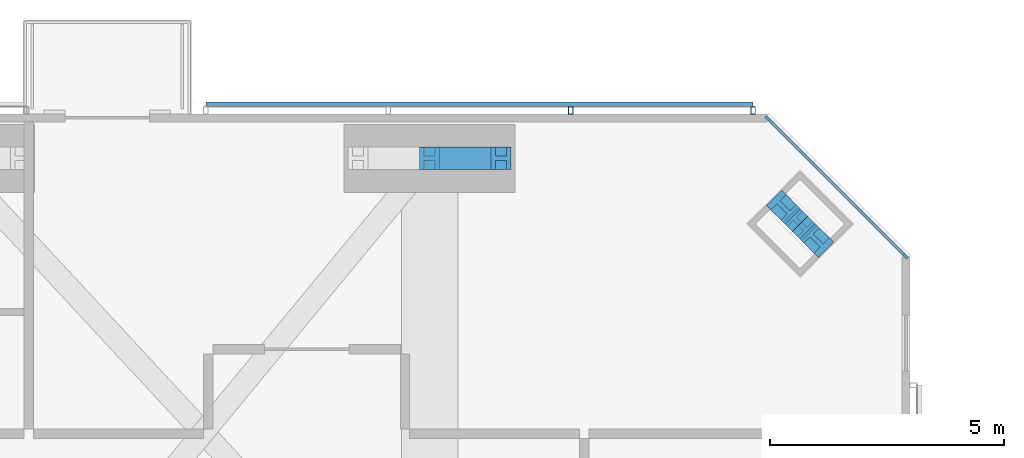
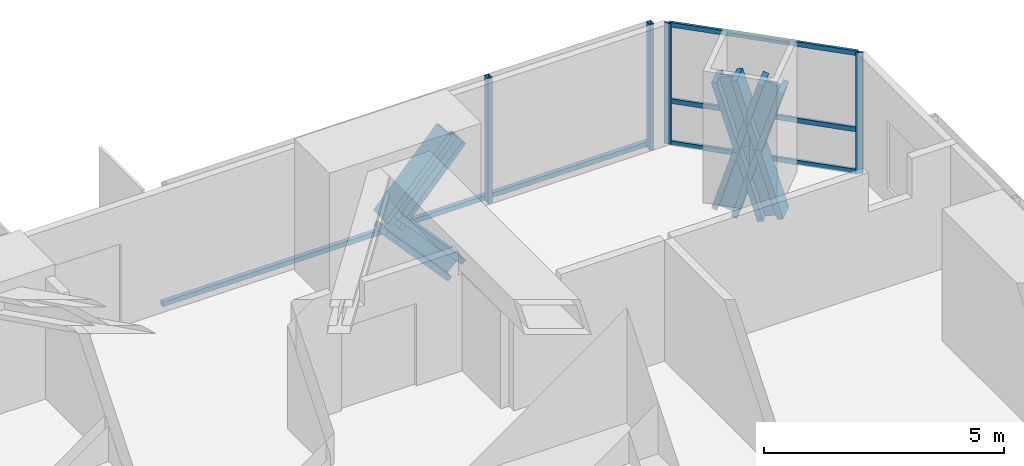
# One storey, part 13 of 22: 14 members, 2 elements without a shape of their own.
"""IFC4 building model written with IfcOpenShell, lengths in metres."""

import ifcopenshell
import ifcopenshell.guid

model = None  # the IFC model being written
_history = None  # IfcOwnerHistory: only IFC2X3 demands one
_inside = {}  # id of a spatial element -> (the spatial element, [elements in it])
_under = {}  # id of a project, library or spatial element -> (it, [spatial elements below it])
_declared = {}  # id of a project -> (the project, [libraries it declares])
_typed = {}  # id of a type object -> (the type object, [elements of that type])
_made_of = {}  # id of a material, layer set ... -> (it, [elements and type objects made of it])


def new_model(schema):
    """Start an empty IFC model of exactly this schema.

    Asked for "IFC4X3", IfcOpenShell would pick the latest addendum, in which some entities
    have other attributes; the version numbers below select the first issue.
    IFC2X3 requires an IfcOwnerHistory on every rooted entity: one is made here for all.
    """
    global model, _history
    if schema == "IFC4X3":
        model = ifcopenshell.file(schema_version=(4, 3, 0, 0))
    else:
        model = ifcopenshell.file(schema=schema)
    _inside.clear()
    _under.clear()
    _declared.clear()
    _typed.clear()
    _made_of.clear()
    _history = None
    if model.schema == "IFC2X3":
        org = make("IfcOrganization", Name="unknown")
        user = make(
            "IfcPersonAndOrganization",
            ThePerson=make("IfcPerson", FamilyName="unknown"),
            TheOrganization=org,
        )
        app = make(
            "IfcApplication",
            ApplicationDeveloper=org,
            Version="unknown",
            ApplicationFullName="unknown",
            ApplicationIdentifier="unknown",
        )
        _history = make(
            "IfcOwnerHistory",
            OwningUser=user,
            OwningApplication=app,
            ChangeAction="ADDED",
            CreationDate=0,
        )
    return model


def make(cls, **values):
    """One entity of the class cls with the attributes given. An attribute that is None is left unset."""
    return model.create_entity(
        cls, **{name: value for name, value in values.items() if value is not None}
    )


def rooted(cls, **values):
    """An entity with a GlobalId (a new one), such as an element, a storey or a relation."""
    return make(cls, GlobalId=ifcopenshell.guid.new(), OwnerHistory=_history, **values)


def si_unit(unit_type, name, prefix=None):
    """IfcSIUnit, for example si_unit("LENGTHUNIT", "METRE", prefix="MILLI")."""
    return make("IfcSIUnit", UnitType=unit_type, Prefix=prefix, Name=name)


def assignment(units):
    """IfcUnitAssignment: the units of a project."""
    return None if units is None else make("IfcUnitAssignment", Units=units)


def point(xyz):
    """IfcCartesianPoint."""
    return None if xyz is None else make("IfcCartesianPoint", Coordinates=xyz)


def direction(xyz):
    """IfcDirection."""
    return None if xyz is None else make("IfcDirection", DirectionRatios=xyz)


def frame(location, z_axis=None, x_axis=None):
    """IfcAxis2Placement3D, a coordinate frame: its origin and axes. An axis left out is left unset."""
    return make(
        "IfcAxis2Placement3D",
        Location=point(location),
        Axis=direction(z_axis),
        RefDirection=direction(x_axis),
    )


def frame_2d(location, x_axis=None):
    """IfcAxis2Placement2D, a coordinate frame in the plane: its origin and x axis."""
    return make(
        "IfcAxis2Placement2D", Location=point(location), RefDirection=direction(x_axis)
    )


def origin():
    """The frame at (0, 0, 0) with its axes left unset."""
    return frame((0.0, 0.0, 0.0))


def origin_2d():
    """The frame at (0, 0) in the plane with its x axis left unset."""
    return frame_2d((0.0, 0.0))


def place(relative_to, where):
    """IfcLocalPlacement: puts the frame where relative to a parent placement (None: the world)."""
    return make(
        "IfcLocalPlacement", PlacementRelTo=relative_to, RelativePlacement=where
    )


def context(
    kind, dimensions, precision=None, world=None, true_north=None, identifier=None
):
    """IfcGeometricRepresentationContext, for example the 3D "Model" context."""
    return make(
        "IfcGeometricRepresentationContext",
        ContextIdentifier=identifier,
        ContextType=kind,
        CoordinateSpaceDimension=dimensions,
        Precision=precision,
        WorldCoordinateSystem=world,
        TrueNorth=true_north,
    )


def subcontext(parent, identifier, kind, view, scale=None):
    """IfcGeometricRepresentationSubContext, for example "Body" below "Model"."""
    return make(
        "IfcGeometricRepresentationSubContext",
        ContextIdentifier=identifier,
        ContextType=kind,
        ParentContext=parent,
        TargetScale=scale,
        TargetView=view,
    )


def project(units=None, contexts=None):
    """IfcProject with its units and contexts."""
    return rooted(
        "IfcProject",
        Name="project",
        RepresentationContexts=contexts,
        UnitsInContext=assignment(units),
    )


def spatial(cls, under=None, at=None, **own):
    """A site, building, storey or space (cls), placed at a placement, below another one or the project."""
    s = rooted(cls, ObjectPlacement=at, **own)
    if under is not None:
        _under.setdefault(under.id(), (under, []))[1].append(s)
    return s


def profile(cls, at=None, kind="AREA", **sizes):
    """A parametric profile (cls). Its sizes go by their IFC names, for example OverallWidth=200.0."""
    return make(cls, ProfileType=kind, Position=at, **sizes)


def rectangle(**sizes):
    """IfcRectangleProfileDef."""
    return profile("IfcRectangleProfileDef", **sizes)


def hollow_rectangle(**sizes):
    """IfcRectangleHollowProfileDef."""
    return profile("IfcRectangleHollowProfileDef", **sizes)


def i_section(**sizes):
    """IfcIShapeProfileDef."""
    return profile("IfcIShapeProfileDef", **sizes)


def extrude(swept, where, along, depth):
    """IfcExtrudedAreaSolid: the profile swept, set in the frame where, extruded along a direction by depth."""
    return make(
        "IfcExtrudedAreaSolid",
        SweptArea=swept,
        Position=where,
        ExtrudedDirection=direction(along),
        Depth=depth,
    )


def shape(context_of_items, identifier, shape_type, items):
    """IfcShapeRepresentation: the items that make up one representation, for example the "Body"."""
    return make(
        "IfcShapeRepresentation",
        ContextOfItems=context_of_items,
        RepresentationIdentifier=identifier,
        RepresentationType=shape_type,
        Items=items,
    )


def material(Name=None, Category=None):
    """IfcMaterial."""
    return make("IfcMaterial", Name=Name, Category=Category)


def material_profile(
    of_material, cross_section, Name=None, Category=None, Priority=None
):
    """IfcMaterialProfile: a cross section and its material."""
    return make(
        "IfcMaterialProfile",
        Name=Name,
        Material=of_material,
        Profile=cross_section,
        Priority=Priority,
        Category=Category,
    )


def profile_set(profiles, Name=None, composite=None):
    """IfcMaterialProfileSet."""
    return make(
        "IfcMaterialProfileSet",
        Name=Name,
        MaterialProfiles=profiles,
        CompositeProfile=composite,
    )


def made_of(thing, what):
    """Note that an element or type object is made of a material, layer set ...; save() writes the relation."""
    if what is not None:
        _made_of.setdefault(what.id(), (what, []))[1].append(thing)
    return thing


def type_object(cls, material=None, **own):
    """A type object (cls), such as IfcWallType, which elements share."""
    return made_of(rooted(cls, **own), material)


def element(
    cls,
    number,
    at=None,
    inside=None,
    cuts=None,
    type_object=None,
    material=None,
    context=None,
    identifier="Body",
    shape_type=None,
    held_by="IfcProductDefinitionShape",
    body=None,
    shapes=None,
    **own,
):
    """One element of the class cls, such as IfcWall. Its Tag is "e" and its number.

    at: its placement. inside: the storey or other place that contains it. cuts: it is an
    opening in that element (IfcRelVoidsElement). A single representation is given by context,
    identifier, shape_type and body (its items); several are given by shapes. held_by: the class
    of the entity that holds the representations. save() writes the other relations.
    """
    e = rooted(cls, Tag="e%d" % number, ObjectPlacement=at, **own)
    if body is not None:
        shapes = [shape(context, identifier, shape_type, body)]
    if shapes is not None:
        e.Representation = make(held_by, Representations=shapes)
    if inside is not None:
        _inside.setdefault(inside.id(), (inside, []))[1].append(e)
    if cuts is not None:
        rooted(
            "IfcRelVoidsElement", RelatingBuildingElement=cuts, RelatedOpeningElement=e
        )
    if type_object is not None:
        _typed.setdefault(type_object.id(), (type_object, []))[1].append(e)
    return made_of(e, material)


def aggregate(whole, parts):
    """IfcRelAggregates: a whole, such as a stair, and the parts it consists of."""
    return rooted("IfcRelAggregates", RelatingObject=whole, RelatedObjects=parts)


def save(model, path):
    """Write the relations noted so far, then the file.

    IfcRelAggregates (storeys below a building ...), IfcRelContainedInSpatialStructure (elements
    in a storey), IfcRelDefinesByType, IfcRelAssociatesMaterial and IfcRelDeclares: one each for
    every whole, place, type object, material and project.
    """
    for whole, parts in _under.values():
        aggregate(whole, parts)
    for where, things in _inside.values():
        rooted(
            "IfcRelContainedInSpatialStructure",
            RelatedElements=things,
            RelatingStructure=where,
        )
    for kind, things in _typed.values():
        rooted("IfcRelDefinesByType", RelatedObjects=things, RelatingType=kind)
    for what, things in _made_of.values():
        rooted("IfcRelAssociatesMaterial", RelatedObjects=things, RelatingMaterial=what)
    for by, libraries in _declared.values():
        rooted("IfcRelDeclares", RelatingContext=by, RelatedDefinitions=libraries)
    model.write(path)


model = new_model("IFC4")

# Units and contexts
model_context = context("Model", 3, precision=1e-05, world=origin(), true_north=direction((0.0, 1.0)))
body_context = subcontext(model_context, "Body", "Model", "MODEL_VIEW")
ifc_project = project(units=[si_unit("LENGTHUNIT", "METRE"), si_unit("AREAUNIT", "SQUARE_METRE"), si_unit("VOLUMEUNIT", "CUBIC_METRE"), si_unit("PLANEANGLEUNIT", "RADIAN"), si_unit("MASSUNIT", "GRAM", prefix="KILO")], contexts=[model_context])

# Site, building, storey
site_placement = place(None, origin())
site = spatial("IfcSite", under=ifc_project, at=site_placement, CompositionType="ELEMENT")
building_placement = place(site_placement, origin())
building = spatial("IfcBuilding", under=site, at=building_placement, Name="Jalousie Tower", CompositionType="ELEMENT")
storey_placement = place(building_placement, frame((0.0, 0.0, 204.60009765625)))
storey = spatial("IfcBuildingStorey", under=building, at=storey_placement, Name="L56", CompositionType="ELEMENT", Elevation=204.60009765625)

# Curtain wall, members
ifc_material_1 = material(Name="Aluminium curtain wall", Category="aluminium")
curtain_wall_type_1 = type_object("IfcCurtainWallType", Name="CORNER WINDOW WALL", PredefinedType="USERDEFINED", material=ifc_material_1)
curtain_wall_1_placement = place(storey_placement, origin())
curtain_wall_1 = element("IfcCurtainWall", 1, at=curtain_wall_1_placement, inside=storey, type_object=curtain_wall_type_1, Name="Corner Window Wall L56 4", ObjectType="CORNER WINDOW WALL", PredefinedType="USERDEFINED")
ifc_material_2 = material(Name="Aluminium mullion", Category="aluminium")
ifc_material_profile_1 = material_profile(ifc_material_2, rectangle(XDim=0.06005859375, YDim=0.14990234375, at=origin_2d()), Name="MULLION 60x150")
ifc_profile_set_1 = profile_set([ifc_material_profile_1], Name="Aluminium mullion")
member_type_1 = type_object("IfcMemberType", Name="CORNER WINDOW WALL MULLION", PredefinedType="MULLION", material=ifc_profile_set_1)
member_1_placement = place(storey_placement, frame((52.891357421875, 32.969970703125, 0.0), z_axis=(0.0, 0.0, 1.0), x_axis=(-0.707106781187, -0.707106781187, 0.0)))
member_1 = element("IfcMember", 2, at=member_1_placement, type_object=member_type_1, Name="CW-C mullion 1", PredefinedType="MULLION", context=body_context, shape_type="SweptSolid", body=[
    extrude(rectangle(XDim=0.06005859375, YDim=0.14990234375, at=origin_2d()), origin(), (0.0, 0.0, 1.0), 3.06982421875),
])
member_2_placement = place(storey_placement, frame((49.969970703125, 35.891357421875, 0.0), z_axis=(0.0, 0.0, 1.0), x_axis=(-0.707106781187, -0.707106781187, 0.0)))
member_2 = element("IfcMember", 3, at=member_2_placement, type_object=member_type_1, Name="CW-C mullion 2", PredefinedType="MULLION", context=body_context, shape_type="SweptSolid", body=[
    extrude(rectangle(XDim=0.06005859375, YDim=0.14990234375, at=origin_2d()), origin(), (0.0, 0.0, 1.0), 3.06982421875),
])
ifc_material_3 = material(Name="Aluminium transom", Category="aluminium")
ifc_material_profile_2 = material_profile(ifc_material_3, rectangle(XDim=0.06005859375, YDim=0.1201171875, at=origin_2d()), Name="TRANSOM 60x120")
ifc_profile_set_2 = profile_set([ifc_material_profile_2], Name="Aluminium transom")
member_type_2 = type_object("IfcMemberType", Name="CORNER WINDOW WALL TRANSOM", PredefinedType="USERDEFINED", material=ifc_profile_set_2)
member_3_placement = place(storey_placement, frame((52.8701171875, 32.9912109375, 0.02978515625), z_axis=(-0.707106781187, 0.707106781187, 0.0), x_axis=(-0.707106781187, -0.707106781187, 0.0)))
member_3 = element("IfcMember", 4, at=member_3_placement, type_object=member_type_2, Name="CW-C transom 1.1", ObjectType="TRANSOM", PredefinedType="USERDEFINED", context=body_context, shape_type="SweptSolid", body=[
    extrude(rectangle(XDim=0.06005859375, YDim=0.1201171875, at=origin_2d()), origin(), (0.0, 0.0, 1.0), 4.0712890625),
])
member_4_placement = place(storey_placement, frame((52.8701171875, 32.9912109375, 1.099853515625), z_axis=(-0.707106781187, 0.707106781187, 0.0), x_axis=(-0.707106781187, -0.707106781187, 0.0)))
member_4 = element("IfcMember", 5, at=member_4_placement, type_object=member_type_2, Name="CW-C transom 1.2", ObjectType="TRANSOM", PredefinedType="USERDEFINED", context=body_context, shape_type="SweptSolid", body=[
    extrude(rectangle(XDim=0.06005859375, YDim=0.1201171875, at=origin_2d()), origin(), (0.0, 0.0, 1.0), 4.0712890625),
])
member_5_placement = place(storey_placement, frame((52.8701171875, 32.9912109375, 3.039794921875), z_axis=(-0.707106781187, 0.707106781187, 0.0), x_axis=(-0.707106781187, -0.707106781187, 0.0)))
member_5 = element("IfcMember", 6, at=member_5_placement, type_object=member_type_2, Name="CW-C transom 1.3", ObjectType="TRANSOM", PredefinedType="USERDEFINED", context=body_context, shape_type="SweptSolid", body=[
    extrude(rectangle(XDim=0.06005859375, YDim=0.1201171875, at=origin_2d()), origin(), (0.0, 0.0, 1.0), 4.0712890625),
])
aggregate(curtain_wall_1, [member_1, member_2, member_3, member_4, member_5])

# Members
ifc_material_4 = material(Name="Steel ASTM A992 Grade 50", Category="steel")
ifc_material_profile_3 = material_profile(ifc_material_4, i_section(OverallWidth=0.472412109375, OverallDepth=0.5791015625, WebThickness=0.094970703125, FlangeThickness=0.1298828125, at=origin_2d()), Name="W14X808")
ifc_profile_set_3 = profile_set([ifc_material_profile_3], Name="Steel ASTM A992 Grade 50")
member_type_3 = type_object("IfcMemberType", Name="PERIMETER BRACE W14X808", PredefinedType="BRACE", material=ifc_profile_set_3)
for number, where, z_axis, x_axis, name in (
    (7, (51.0048828125, 33.2978515625, -0.60009765625), (-0.202092742837, 0.202372069365, 0.958229653493), (-0.707594945859, -0.706618279267, 0.0), "Perimeter brace 08 L56 part 1"),
    (8, (50.651611328125, 33.651611328125, 1.074951171875), (-0.202372069365, 0.202092742837, 0.958229653493), (-0.706618279267, -0.707594945859, 0.0), "Perimeter brace 08 L56 part 2"),
    (9, (50.2978515625, 34.0048828125, -0.60009765625), (0.202372069365, -0.202092742837, 0.958229653493), (0.706618279267, 0.707594945859, 0.0), "Perimeter brace 08 L56 part 3"),
    (10, (50.651611328125, 33.651611328125, 1.074951171875), (0.202092742837, -0.202372069365, 0.958229653493), (0.707594945859, 0.706618279267, 0.0), "Perimeter brace 08 L56 part 4"),
):
    element("IfcMember", number, at=place(storey_placement, frame(where, z_axis=z_axis, x_axis=x_axis)), inside=storey, type_object=member_type_3, Name=name, PredefinedType="BRACE", context=body_context, shape_type="SweptSolid", body=[
        extrude(i_section(OverallWidth=0.472412109375, OverallDepth=0.5791015625, WebThickness=0.094970703125, FlangeThickness=0.1298828125, at=origin_2d()), origin(), (0.0, 0.0, 1.0), 1.748046875),
    ])
for number, where, z_axis, x_axis, name in (
    (11, (42.75, 35.050048828125, 1.074951171875), (0.673187629365, 0.0, 0.739471713908), (0.0, 1.0, 0.0), "Perimeter brace 09 L56 part 2"),
    (12, (44.27490234375, 35.050048828125, -0.60009765625), (-0.673187629365, 0.0, 0.739471713908), (0.0, -1.0, 0.0), "Perimeter brace 09 L56 part 3"),
):
    element("IfcMember", number, at=place(storey_placement, frame(where, z_axis=z_axis, x_axis=x_axis)), inside=storey, type_object=member_type_3, Name=name, PredefinedType="BRACE", context=body_context, shape_type="SweptSolid", body=[
        extrude(i_section(OverallWidth=0.472412109375, OverallDepth=0.5791015625, WebThickness=0.094970703125, FlangeThickness=0.1298828125, at=origin_2d()), origin(), (0.0, 0.0, 1.0), 2.26513671875),
    ])

# Curtain wall, members
ifc_material_5 = material(Name="Perforated aluminium sheet", Category="aluminium")
curtain_wall_type_2 = type_object("IfcCurtainWallType", Name="SOLAR SCREEN SS-1", PredefinedType="USERDEFINED", material=ifc_material_5)
curtain_wall_2_placement = place(storey_placement, origin())
curtain_wall_2 = element("IfcCurtainWall", 13, at=curtain_wall_2_placement, inside=storey, type_object=curtain_wall_type_2, Name="Solar screen L56", ObjectType="SOLAR SCREEN SS-1", PredefinedType="USERDEFINED")
ifc_material_6 = material(Name="Steel ASTM A500 Grade C", Category="steel")
ifc_material_profile_4 = material_profile(ifc_material_6, hollow_rectangle(XDim=0.1015625, YDim=0.15234375, WallThickness=0.00634765625, at=origin_2d()), Name="HSS6X4X1/4")
ifc_profile_set_4 = profile_set([ifc_material_profile_4], Name="Steel ASTM A500 Grade C")
member_type_4 = type_object("IfcMemberType", Name="SOLAR SCREEN SS-1 MULLION", PredefinedType="MULLION", material=ifc_profile_set_4)
member_6_placement = place(storey_placement, frame((49.648681640625, 36.0712890625, -0.1201171875), z_axis=(0.0, 0.0, 1.0), x_axis=(-1.0, 0.0, 0.0)))
member_6 = element("IfcMember", 14, at=member_6_placement, type_object=member_type_4, Name="SS1 post 1", PredefinedType="MULLION", context=body_context, shape_type="SweptSolid", body=[
    extrude(hollow_rectangle(XDim=0.1015625, YDim=0.15234375, WallThickness=0.00634765625, at=origin_2d()), origin(), (0.0, 0.0, 1.0), 3.18994140625),
])
member_7_placement = place(storey_placement, frame((45.757568359375, 36.0712890625, -0.1201171875), z_axis=(0.0, 0.0, 1.0), x_axis=(-1.0, 0.0, 0.0)))
member_7 = element("IfcMember", 15, at=member_7_placement, type_object=member_type_4, Name="SS1 post 2", PredefinedType="MULLION", context=body_context, shape_type="SweptSolid", body=[
    extrude(hollow_rectangle(XDim=0.1015625, YDim=0.15234375, WallThickness=0.00634765625, at=origin_2d()), origin(), (0.0, 0.0, 1.0), 3.18994140625),
])
ifc_material_7 = material(Name="Extruded aluminium screen rail", Category="aluminium")
ifc_material_profile_5 = material_profile(ifc_material_7, rectangle(XDim=0.1015625, YDim=0.1201171875, at=origin_2d()), Name="RAIL 102x120")
ifc_profile_set_5 = profile_set([ifc_material_profile_5], Name="Extruded aluminium screen rail")
member_type_5 = type_object("IfcMemberType", Name="SOLAR SCREEN SS-1 TRANSOM", PredefinedType="USERDEFINED", material=ifc_profile_set_5)
member_8_placement = place(storey_placement, frame((49.648681640625, 36.1982421875, -0.06005859375), z_axis=(-1.0, 0.0, 0.0), x_axis=(0.0, -1.0, 0.0)))
member_8 = element("IfcMember", 16, at=member_8_placement, type_object=member_type_5, Name="SS1 rail", ObjectType="TRANSOM", PredefinedType="USERDEFINED", context=body_context, shape_type="SweptSolid", body=[
    extrude(rectangle(XDim=0.1015625, YDim=0.1201171875, at=origin_2d()), origin(), (0.0, 0.0, 1.0), 11.673583984375),
])
aggregate(curtain_wall_2, [member_6, member_7, member_8])

save(model, "model.ifc")
